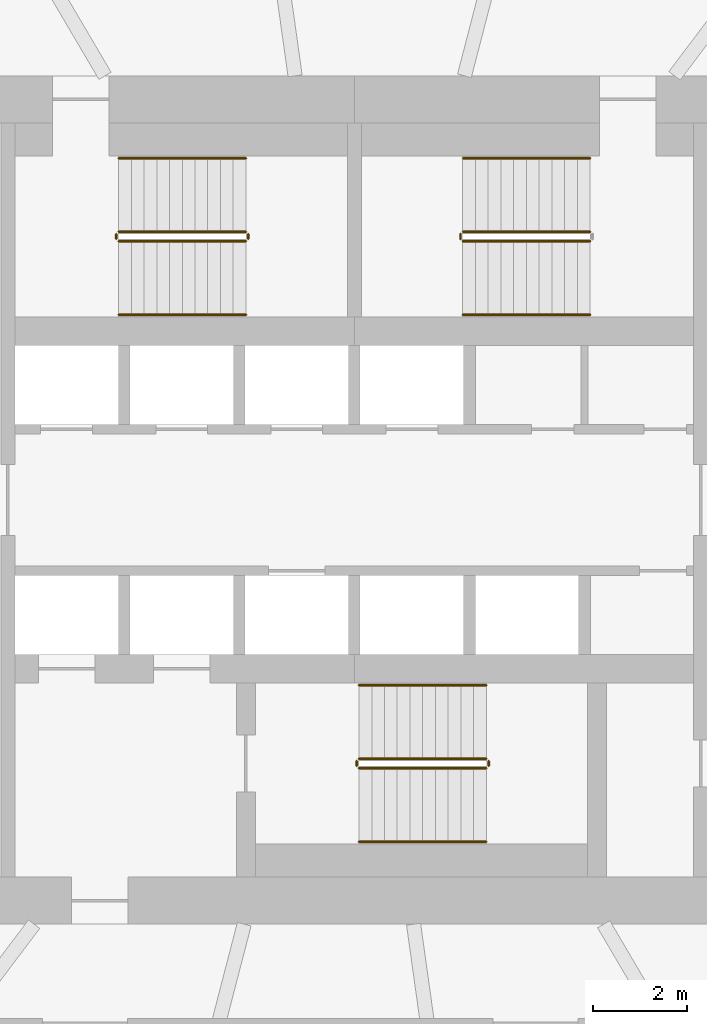
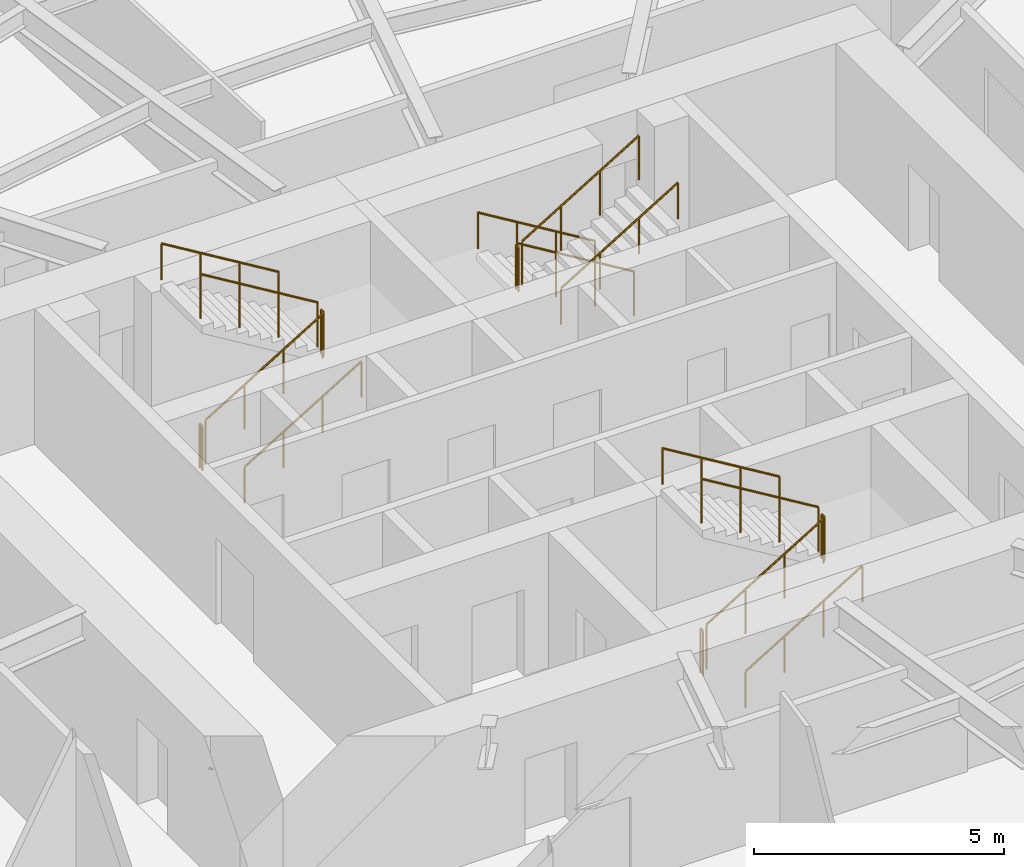
# One storey, part 13 of 16: 17 railings.
"""IFC4 building model written with IfcOpenShell, lengths in metres."""

from ifc_helpers import new_model, si_unit, direction, frame, origin, origin_2d, place, context, subcontext, project, spatial, circle, extrude, material, type_object, element, save


model = new_model("IFC4")

# Units and contexts
model_context = context("Model", 3, precision=1e-05, world=origin(), true_north=direction((0.0, 1.0)))
body_context = subcontext(model_context, "Body", "Model", "MODEL_VIEW")
ifc_project = project(units=[si_unit("LENGTHUNIT", "METRE"), si_unit("AREAUNIT", "SQUARE_METRE"), si_unit("VOLUMEUNIT", "CUBIC_METRE"), si_unit("PLANEANGLEUNIT", "RADIAN"), si_unit("MASSUNIT", "GRAM", prefix="KILO")], contexts=[model_context])

# Site, building, storey
site_placement = place(None, origin())
site = spatial("IfcSite", under=ifc_project, at=site_placement, CompositionType="ELEMENT")
building_placement = place(site_placement, origin())
building = spatial("IfcBuilding", under=site, at=building_placement, Name="Vermilion Reach Broadcast Tower", CompositionType="ELEMENT")
storey_placement = place(building_placement, frame((0.0, 0.0, 113.800048828125)))
storey = spatial("IfcBuildingStorey", under=building, at=storey_placement, Name="L26", CompositionType="ELEMENT", Elevation=113.800048828125)

# Railings
ifc_material_1 = material(Name="Stainless steel", Category="steel")
railing_type_1 = type_object("IfcRailingType", Name="Stair guard 1100", PredefinedType="GUARDRAIL", material=ifc_material_1)
railing_1_placement = place(storey_placement, frame((-11.0, 5.489990234375, 0.16357421875)))
element("IfcRailing", 1, at=railing_1_placement, inside=storey, type_object=railing_type_1, Name="L26 ST1 stair guard 1", PredefinedType="GUARDRAIL", context=body_context, shape_type="SweptSolid", body=[
    extrude(circle(Radius=0.02392578125, at=origin_2d()), frame((0.0, 0.0, 1.076171875), z_axis=(0.855178096276, 0.0, 0.518334277904), x_axis=(0.0, 1.0, 0.0)), (0.0, 0.0, 1.0), 3.1572265625),
    extrude(circle(Radius=0.02099609375, at=origin_2d()), origin(), (0.0, 0.0, 1.0), 1.052001953125),
    extrude(circle(Radius=0.02099609375, at=origin_2d()), frame((0.89990234375, 0.0, 0.54541015625)), (0.0, 0.0, 1.0), 1.052001953125),
    extrude(circle(Radius=0.02099609375, at=origin_2d()), frame((1.800048828125, 0.0, 1.091064453125)), (0.0, 0.0, 1.0), 1.052001953125),
    extrude(circle(Radius=0.02099609375, at=origin_2d()), frame((2.699951171875, 0.0, 1.636474609375)), (0.0, 0.0, 1.0), 1.052001953125),
])
railing_2_placement = place(storey_placement, frame((-8.25, 5.5400390625, 1.800048828125)))
element("IfcRailing", 2, at=railing_2_placement, inside=storey, type_object=railing_type_1, Name="L26 ST1 stair guard 2", PredefinedType="GUARDRAIL", context=body_context, shape_type="SweptSolid", body=[
    extrude(circle(Radius=0.02392578125, at=origin_2d()), frame((0.0, 0.0, 1.076171875), z_axis=(0.0, 1.0, 0.0), x_axis=(-1.0, 0.0, 0.0)), (0.0, 0.0, 1.0), 0.099853515625),
    extrude(circle(Radius=0.02099609375, at=origin_2d()), origin(), (0.0, 0.0, 1.0), 1.052001953125),
    extrude(circle(Radius=0.02099609375, at=origin_2d()), frame((0.0, 0.099853515625, 0.0)), (0.0, 0.0, 1.0), 1.052001953125),
])
railing_3_placement = place(storey_placement, frame((-8.300048828125, 5.68994140625, 1.963623046875)))
element("IfcRailing", 3, at=railing_3_placement, inside=storey, type_object=railing_type_1, Name="L26 ST1 stair guard 3", PredefinedType="GUARDRAIL", context=body_context, shape_type="SweptSolid", body=[
    extrude(circle(Radius=0.02392578125, at=origin_2d()), frame((0.0, 0.0, 1.076171875), z_axis=(-0.855212373127, 0.0, 0.518277721738), x_axis=(0.0, -1.0, 0.0)), (0.0, 0.0, 1.0), 3.156982421875),
    extrude(circle(Radius=0.02099609375, at=origin_2d()), origin(), (0.0, 0.0, 1.0), 1.052001953125),
    extrude(circle(Radius=0.02099609375, at=origin_2d()), frame((-0.89990234375, 0.0, 0.54541015625)), (0.0, 0.0, 1.0), 1.052001953125),
    extrude(circle(Radius=0.02099609375, at=origin_2d()), frame((-1.800048828125, 0.0, 1.0908203125)), (0.0, 0.0, 1.0), 1.052001953125),
    extrude(circle(Radius=0.02099609375, at=origin_2d()), frame((-2.699951171875, 0.0, 1.63623046875)), (0.0, 0.0, 1.0), 1.052001953125),
])
railing_4_placement = place(storey_placement, frame((-11.050048828125, 5.5400390625, 0.0)))
element("IfcRailing", 4, at=railing_4_placement, inside=storey, type_object=railing_type_1, Name="L26 ST1 stair guard 4", PredefinedType="GUARDRAIL", context=body_context, shape_type="SweptSolid", body=[
    extrude(circle(Radius=0.02392578125, at=origin_2d()), frame((0.0, 0.0, 1.076171875), z_axis=(0.0, 1.0, 0.0), x_axis=(-1.0, 0.0, 0.0)), (0.0, 0.0, 1.0), 0.099853515625),
    extrude(circle(Radius=0.02099609375, at=origin_2d()), origin(), (0.0, 0.0, 1.0), 1.052001953125),
    extrude(circle(Radius=0.02099609375, at=origin_2d()), frame((0.0, 0.099853515625, 0.0)), (0.0, 0.0, 1.0), 1.052001953125),
])
railing_5_placement = place(storey_placement, frame((-1.0, 5.68994140625, 0.16357421875)))
element("IfcRailing", 5, at=railing_5_placement, inside=storey, type_object=railing_type_1, Name="L26 ST2 stair guard 1", PredefinedType="GUARDRAIL", context=body_context, shape_type="SweptSolid", body=[
    extrude(circle(Radius=0.02392578125, at=origin_2d()), frame((0.0, 0.0, 1.076171875), z_axis=(-0.855178096276, 0.0, 0.518334277904), x_axis=(0.0, -1.0, 0.0)), (0.0, 0.0, 1.0), 3.1572265625),
    extrude(circle(Radius=0.02099609375, at=origin_2d()), origin(), (0.0, 0.0, 1.0), 1.052001953125),
    extrude(circle(Radius=0.02099609375, at=origin_2d()), frame((-0.89990234375, 0.0, 0.54541015625)), (0.0, 0.0, 1.0), 1.052001953125),
    extrude(circle(Radius=0.02099609375, at=origin_2d()), frame((-1.800048828125, 0.0, 1.091064453125)), (0.0, 0.0, 1.0), 1.052001953125),
    extrude(circle(Radius=0.02099609375, at=origin_2d()), frame((-2.699951171875, 0.0, 1.636474609375)), (0.0, 0.0, 1.0), 1.052001953125),
])
railing_6_placement = place(storey_placement, frame((-3.75, 5.639892578125, 1.800048828125)))
element("IfcRailing", 6, at=railing_6_placement, inside=storey, type_object=railing_type_1, Name="L26 ST2 stair guard 2", PredefinedType="GUARDRAIL", context=body_context, shape_type="SweptSolid", body=[
    extrude(circle(Radius=0.02392578125, at=origin_2d()), frame((0.0, 0.0, 1.076171875), z_axis=(0.0, -1.0, 0.0), x_axis=(1.0, 0.0, 0.0)), (0.0, 0.0, 1.0), 0.099853515625),
    extrude(circle(Radius=0.02099609375, at=origin_2d()), origin(), (0.0, 0.0, 1.0), 1.052001953125),
    extrude(circle(Radius=0.02099609375, at=origin_2d()), frame((0.0, -0.099853515625, 0.0)), (0.0, 0.0, 1.0), 1.052001953125),
])
railing_7_placement = place(storey_placement, frame((-3.699951171875, 5.489990234375, 1.963623046875)))
element("IfcRailing", 7, at=railing_7_placement, inside=storey, type_object=railing_type_1, Name="L26 ST2 stair guard 3", PredefinedType="GUARDRAIL", context=body_context, shape_type="SweptSolid", body=[
    extrude(circle(Radius=0.02392578125, at=origin_2d()), frame((0.0, 0.0, 1.076171875), z_axis=(0.855212373127, 0.0, 0.518277721738), x_axis=(0.0, 1.0, 0.0)), (0.0, 0.0, 1.0), 3.156982421875),
    extrude(circle(Radius=0.02099609375, at=origin_2d()), origin(), (0.0, 0.0, 1.0), 1.052001953125),
    extrude(circle(Radius=0.02099609375, at=origin_2d()), frame((0.89990234375, 0.0, 0.54541015625)), (0.0, 0.0, 1.0), 1.052001953125),
    extrude(circle(Radius=0.02099609375, at=origin_2d()), frame((1.800048828125, 0.0, 1.0908203125)), (0.0, 0.0, 1.0), 1.052001953125),
    extrude(circle(Radius=0.02099609375, at=origin_2d()), frame((2.699951171875, 0.0, 1.63623046875)), (0.0, 0.0, 1.0), 1.052001953125),
])
railing_8_placement = place(storey_placement, frame((-5.89990234375, -5.68994140625, 0.16357421875)))
element("IfcRailing", 8, at=railing_8_placement, inside=storey, type_object=railing_type_1, Name="L26 ST3 stair guard 1", PredefinedType="GUARDRAIL", context=body_context, shape_type="SweptSolid", body=[
    extrude(circle(Radius=0.02392578125, at=origin_2d()), frame((0.0, 0.0, 1.076171875), z_axis=(0.855178096276, 0.0, 0.518334277904), x_axis=(0.0, 1.0, 0.0)), (0.0, 0.0, 1.0), 3.1572265625),
    extrude(circle(Radius=0.02099609375, at=origin_2d()), origin(), (0.0, 0.0, 1.0), 1.052001953125),
    extrude(circle(Radius=0.02099609375, at=origin_2d()), frame((0.89990234375, 0.0, 0.54541015625)), (0.0, 0.0, 1.0), 1.052001953125),
    extrude(circle(Radius=0.02099609375, at=origin_2d()), frame((1.800048828125, 0.0, 1.091064453125)), (0.0, 0.0, 1.0), 1.052001953125),
    extrude(circle(Radius=0.02099609375, at=origin_2d()), frame((2.699951171875, 0.0, 1.636474609375)), (0.0, 0.0, 1.0), 1.052001953125),
])
railing_9_placement = place(storey_placement, frame((-3.14990234375, -5.639892578125, 1.800048828125)))
element("IfcRailing", 9, at=railing_9_placement, inside=storey, type_object=railing_type_1, Name="L26 ST3 stair guard 2", PredefinedType="GUARDRAIL", context=body_context, shape_type="SweptSolid", body=[
    extrude(circle(Radius=0.02392578125, at=origin_2d()), frame((0.0, 0.0, 1.076171875), z_axis=(0.0, 1.0, 0.0), x_axis=(-1.0, 0.0, 0.0)), (0.0, 0.0, 1.0), 0.099853515625),
    extrude(circle(Radius=0.02099609375, at=origin_2d()), origin(), (0.0, 0.0, 1.0), 1.052001953125),
    extrude(circle(Radius=0.02099609375, at=origin_2d()), frame((0.0, 0.099853515625, 0.0)), (0.0, 0.0, 1.0), 1.052001953125),
])
railing_10_placement = place(storey_placement, frame((-3.199951171875, -5.489990234375, 1.963623046875)))
element("IfcRailing", 10, at=railing_10_placement, inside=storey, type_object=railing_type_1, Name="L26 ST3 stair guard 3", PredefinedType="GUARDRAIL", context=body_context, shape_type="SweptSolid", body=[
    extrude(circle(Radius=0.02392578125, at=origin_2d()), frame((0.0, 0.0, 1.076171875), z_axis=(-0.855212373127, 0.0, 0.518277721738), x_axis=(0.0, -1.0, 0.0)), (0.0, 0.0, 1.0), 3.156982421875),
    extrude(circle(Radius=0.02099609375, at=origin_2d()), origin(), (0.0, 0.0, 1.0), 1.052001953125),
    extrude(circle(Radius=0.02099609375, at=origin_2d()), frame((-0.89990234375, 0.0, 0.54541015625)), (0.0, 0.0, 1.0), 1.052001953125),
    extrude(circle(Radius=0.02099609375, at=origin_2d()), frame((-1.800048828125, 0.0, 1.0908203125)), (0.0, 0.0, 1.0), 1.052001953125),
    extrude(circle(Radius=0.02099609375, at=origin_2d()), frame((-2.699951171875, 0.0, 1.63623046875)), (0.0, 0.0, 1.0), 1.052001953125),
])
railing_11_placement = place(storey_placement, frame((-5.949951171875, -5.639892578125, 0.0)))
element("IfcRailing", 11, at=railing_11_placement, inside=storey, type_object=railing_type_1, Name="L26 ST3 stair guard 4", PredefinedType="GUARDRAIL", context=body_context, shape_type="SweptSolid", body=[
    extrude(circle(Radius=0.02392578125, at=origin_2d()), frame((0.0, 0.0, 1.076171875), z_axis=(0.0, 1.0, 0.0), x_axis=(-1.0, 0.0, 0.0)), (0.0, 0.0, 1.0), 0.099853515625),
    extrude(circle(Radius=0.02099609375, at=origin_2d()), origin(), (0.0, 0.0, 1.0), 1.052001953125),
    extrude(circle(Radius=0.02099609375, at=origin_2d()), frame((0.0, 0.099853515625, 0.0)), (0.0, 0.0, 1.0), 1.052001953125),
])
ifc_material_2 = material(Name="Stainless steel", Category="steel")
railing_type_2 = type_object("IfcRailingType", Name="Stair handrail", PredefinedType="HANDRAIL", material=ifc_material_2)
railing_12_placement = place(storey_placement, frame((-11.0, 3.929931640625, 0.16357421875)))
element("IfcRailing", 12, at=railing_12_placement, inside=storey, type_object=railing_type_2, Name="L26 ST1 stair handrail 1", PredefinedType="HANDRAIL", context=body_context, shape_type="SweptSolid", body=[
    extrude(circle(Radius=0.02392578125, at=origin_2d()), frame((0.0, 0.0, 0.8759765625), z_axis=(0.855178096276, 0.0, 0.518334277904), x_axis=(0.0, 1.0, 0.0)), (0.0, 0.0, 1.0), 3.1572265625),
    extrude(circle(Radius=0.02099609375, at=origin_2d()), origin(), (0.0, 0.0, 1.0), 0.851806640625),
    extrude(circle(Radius=0.02099609375, at=origin_2d()), frame((0.89990234375, 0.0, 0.54541015625)), (0.0, 0.0, 1.0), 0.851806640625),
    extrude(circle(Radius=0.02099609375, at=origin_2d()), frame((1.800048828125, 0.0, 1.091064453125)), (0.0, 0.0, 1.0), 0.851806640625),
    extrude(circle(Radius=0.02099609375, at=origin_2d()), frame((2.699951171875, 0.0, 1.636474609375)), (0.0, 0.0, 1.0), 0.851806640625),
])
railing_13_placement = place(storey_placement, frame((-8.300048828125, 7.25, 1.963623046875)))
element("IfcRailing", 13, at=railing_13_placement, inside=storey, type_object=railing_type_2, Name="L26 ST1 stair handrail 2", PredefinedType="HANDRAIL", context=body_context, shape_type="SweptSolid", body=[
    extrude(circle(Radius=0.02392578125, at=origin_2d()), frame((0.0, 0.0, 0.8759765625), z_axis=(-0.855212373127, 0.0, 0.518277721738), x_axis=(0.0, -1.0, 0.0)), (0.0, 0.0, 1.0), 3.156982421875),
    extrude(circle(Radius=0.02099609375, at=origin_2d()), origin(), (0.0, 0.0, 1.0), 0.851806640625),
    extrude(circle(Radius=0.02099609375, at=origin_2d()), frame((-0.89990234375, 0.0, 0.54541015625)), (0.0, 0.0, 1.0), 0.851806640625),
    extrude(circle(Radius=0.02099609375, at=origin_2d()), frame((-1.800048828125, 0.0, 1.0908203125)), (0.0, 0.0, 1.0), 0.851806640625),
    extrude(circle(Radius=0.02099609375, at=origin_2d()), frame((-2.699951171875, 0.0, 1.63623046875)), (0.0, 0.0, 1.0), 0.851806640625),
])
railing_14_placement = place(storey_placement, frame((-1.0, 7.25, 0.16357421875)))
element("IfcRailing", 14, at=railing_14_placement, inside=storey, type_object=railing_type_2, Name="L26 ST2 stair handrail 1", PredefinedType="HANDRAIL", context=body_context, shape_type="SweptSolid", body=[
    extrude(circle(Radius=0.02392578125, at=origin_2d()), frame((0.0, 0.0, 0.8759765625), z_axis=(-0.855178096276, 0.0, 0.518334277904), x_axis=(0.0, -1.0, 0.0)), (0.0, 0.0, 1.0), 3.1572265625),
    extrude(circle(Radius=0.02099609375, at=origin_2d()), origin(), (0.0, 0.0, 1.0), 0.851806640625),
    extrude(circle(Radius=0.02099609375, at=origin_2d()), frame((-0.89990234375, 0.0, 0.54541015625)), (0.0, 0.0, 1.0), 0.851806640625),
    extrude(circle(Radius=0.02099609375, at=origin_2d()), frame((-1.800048828125, 0.0, 1.091064453125)), (0.0, 0.0, 1.0), 0.851806640625),
    extrude(circle(Radius=0.02099609375, at=origin_2d()), frame((-2.699951171875, 0.0, 1.636474609375)), (0.0, 0.0, 1.0), 0.851806640625),
])
railing_15_placement = place(storey_placement, frame((-3.699951171875, 3.929931640625, 1.963623046875)))
element("IfcRailing", 15, at=railing_15_placement, inside=storey, type_object=railing_type_2, Name="L26 ST2 stair handrail 2", PredefinedType="HANDRAIL", context=body_context, shape_type="SweptSolid", body=[
    extrude(circle(Radius=0.02392578125, at=origin_2d()), frame((0.0, 0.0, 0.8759765625), z_axis=(0.855212373127, 0.0, 0.518277721738), x_axis=(0.0, 1.0, 0.0)), (0.0, 0.0, 1.0), 3.156982421875),
    extrude(circle(Radius=0.02099609375, at=origin_2d()), origin(), (0.0, 0.0, 1.0), 0.851806640625),
    extrude(circle(Radius=0.02099609375, at=origin_2d()), frame((0.89990234375, 0.0, 0.54541015625)), (0.0, 0.0, 1.0), 0.851806640625),
    extrude(circle(Radius=0.02099609375, at=origin_2d()), frame((1.800048828125, 0.0, 1.0908203125)), (0.0, 0.0, 1.0), 0.851806640625),
    extrude(circle(Radius=0.02099609375, at=origin_2d()), frame((2.699951171875, 0.0, 1.63623046875)), (0.0, 0.0, 1.0), 0.851806640625),
])
railing_16_placement = place(storey_placement, frame((-5.89990234375, -7.25, 0.16357421875)))
element("IfcRailing", 16, at=railing_16_placement, inside=storey, type_object=railing_type_2, Name="L26 ST3 stair handrail 1", PredefinedType="HANDRAIL", context=body_context, shape_type="SweptSolid", body=[
    extrude(circle(Radius=0.02392578125, at=origin_2d()), frame((0.0, 0.0, 0.8759765625), z_axis=(0.855178096276, 0.0, 0.518334277904), x_axis=(0.0, 1.0, 0.0)), (0.0, 0.0, 1.0), 3.1572265625),
    extrude(circle(Radius=0.02099609375, at=origin_2d()), origin(), (0.0, 0.0, 1.0), 0.851806640625),
    extrude(circle(Radius=0.02099609375, at=origin_2d()), frame((0.89990234375, 0.0, 0.54541015625)), (0.0, 0.0, 1.0), 0.851806640625),
    extrude(circle(Radius=0.02099609375, at=origin_2d()), frame((1.800048828125, 0.0, 1.091064453125)), (0.0, 0.0, 1.0), 0.851806640625),
    extrude(circle(Radius=0.02099609375, at=origin_2d()), frame((2.699951171875, 0.0, 1.636474609375)), (0.0, 0.0, 1.0), 0.851806640625),
])
railing_17_placement = place(storey_placement, frame((-3.199951171875, -3.929931640625, 1.963623046875)))
element("IfcRailing", 17, at=railing_17_placement, inside=storey, type_object=railing_type_2, Name="L26 ST3 stair handrail 2", PredefinedType="HANDRAIL", context=body_context, shape_type="SweptSolid", body=[
    extrude(circle(Radius=0.02392578125, at=origin_2d()), frame((0.0, 0.0, 0.8759765625), z_axis=(-0.855212373127, 0.0, 0.518277721738), x_axis=(0.0, -1.0, 0.0)), (0.0, 0.0, 1.0), 3.156982421875),
    extrude(circle(Radius=0.02099609375, at=origin_2d()), origin(), (0.0, 0.0, 1.0), 0.851806640625),
    extrude(circle(Radius=0.02099609375, at=origin_2d()), frame((-0.89990234375, 0.0, 0.54541015625)), (0.0, 0.0, 1.0), 0.851806640625),
    extrude(circle(Radius=0.02099609375, at=origin_2d()), frame((-1.800048828125, 0.0, 1.0908203125)), (0.0, 0.0, 1.0), 0.851806640625),
    extrude(circle(Radius=0.02099609375, at=origin_2d()), frame((-2.699951171875, 0.0, 1.63623046875)), (0.0, 0.0, 1.0), 0.851806640625),
])

save(model, "model.ifc")
